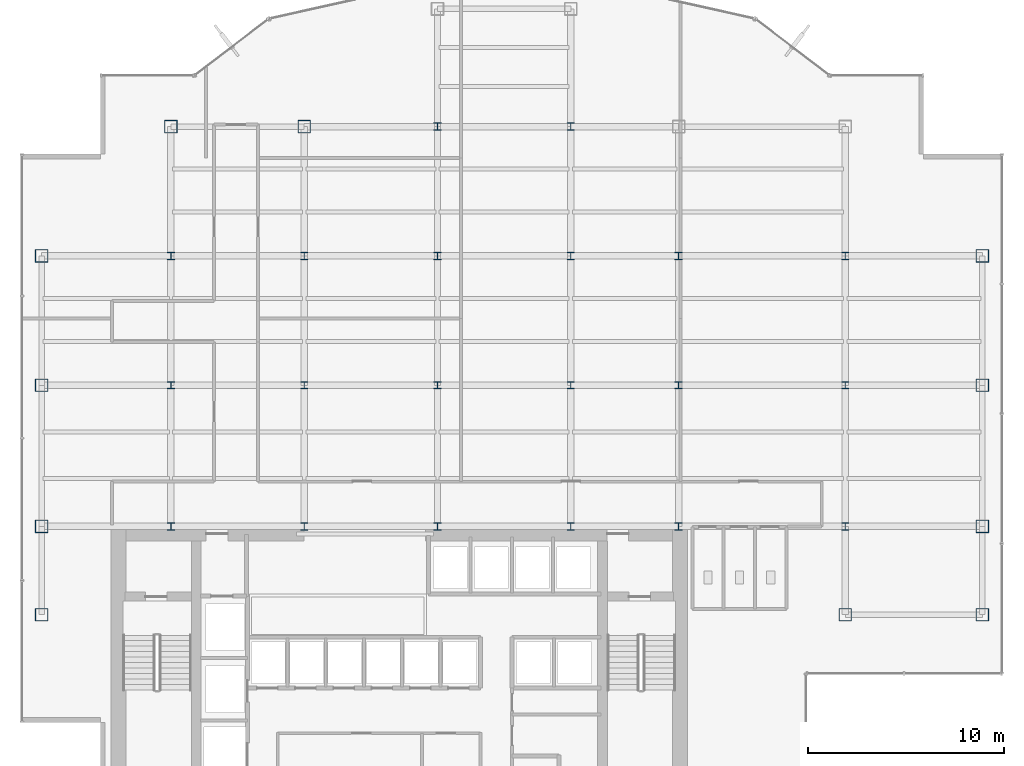
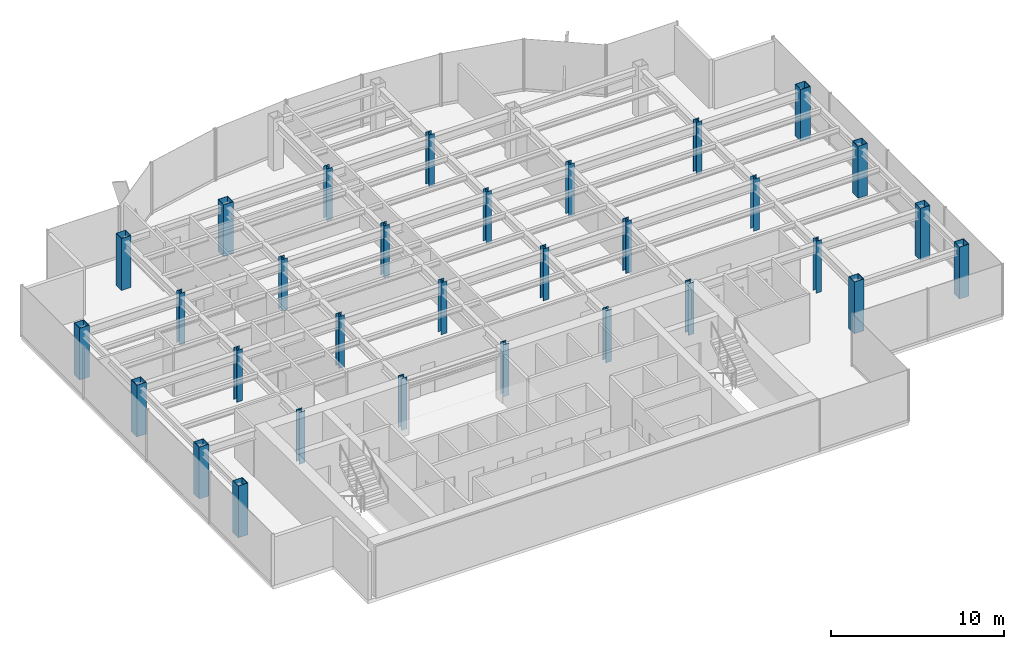
# One storey, part 1 of 25: 31 columns.
"""IFC4 building model written with IfcOpenShell, lengths in metres."""

from ifc_helpers import new_model, si_unit, derived_unit, direction, frame, origin, origin_2d, place, context, subcontext, project, spatial, hollow_rectangle, i_section, extrude, source, transform, mapped, material, material_profile, profile_set, type_object, element, save


model = new_model("IFC4")

# Units and contexts
model_context = context("Model", 3, precision=1e-05, world=origin(), true_north=direction((0.0, 1.0)))
body_context = subcontext(model_context, "Body", "Model", "MODEL_VIEW")
ifc_project = project(units=[si_unit("LENGTHUNIT", "METRE"), si_unit("AREAUNIT", "SQUARE_METRE"), si_unit("VOLUMEUNIT", "CUBIC_METRE"), si_unit("PLANEANGLEUNIT", "RADIAN"), si_unit("MASSUNIT", "GRAM", prefix="KILO"), derived_unit("THERMALTRANSMITTANCEUNIT", [(si_unit("POWERUNIT", "WATT"), 1), (si_unit("LENGTHUNIT", "METRE"), -2), (si_unit("THERMODYNAMICTEMPERATUREUNIT", "KELVIN"), -1)])], contexts=[model_context])

# Site, building, storey
site_placement = place(None, origin())
site = spatial("IfcSite", under=ifc_project, at=site_placement, CompositionType="ELEMENT")
building_placement = place(site_placement, origin())
building = spatial("IfcBuilding", under=site, at=building_placement, Name="Skarnbrae Concourse Arena and Tower", CompositionType="ELEMENT")
storey_placement = place(building_placement, frame((0.0, 0.0, 155.199951171875)))
storey = spatial("IfcBuildingStorey", under=building, at=storey_placement, Name="L39", CompositionType="ELEMENT", Elevation=155.199951171875)

# Columns
ifc_material = material(Name="Steel CSA G40.21 350W", Category="steel")
ifc_material_profile_1 = material_profile(ifc_material, hollow_rectangle(XDim=0.64990234375, YDim=0.64990234375, WallThickness=0.031982421875, at=origin_2d()), Name="BOX650X650X32")
ifc_profile_set_1 = profile_set([ifc_material_profile_1], Name="Steel CSA G40.21 350W")
column_type_1 = type_object("IfcColumnType", Name="COL-TUBE-BOX650", PredefinedType="COLUMN", material=ifc_profile_set_1)
shared_shape_1 = source(origin(), body_context, "Body", "SweptSolid", [
    extrude(hollow_rectangle(XDim=0.64990234375, YDim=0.64990234375, WallThickness=0.031982421875, at=origin_2d()), origin(), (0.0, 0.0, 1.0), 3.650146484375),
])
for number, where, z_axis, x_axis, name in (
    (1, (1.0, 9.5, 0.0), (0.0, 0.0, 1.0), (1.0, 0.0, 0.0), "L39 Tower column PC_01_01"),
    (2, (1.0, 14.0, 0.0), (0.0, 0.0, 1.0), (1.0, 0.0, 0.0), "L39 Tower column PC_01_02"),
    (3, (1.0, 21.199951171875, 0.0), (0.0, 0.0, 1.0), (1.0, 0.0, 0.0), "L39 Tower column PC_01_03"),
    (4, (1.0, 27.800048828125, 0.0), (0.0, 0.0, 1.0), (1.0, 0.0, 0.0), "L39 Tower column PC_01_04"),
    (5, (7.60009765625, 34.39990234375, 0.0), (0.0, 0.0, 1.0), (1.0, 0.0, 0.0), "L39 Tower column PC_02_05"),
    (6, (14.39990234375, 34.39990234375, 0.0), (0.0, 0.0, 1.0), (1.0, 0.0, 0.0), "L39 Tower column PC_03_05"),
    (7, (42.0, 9.5, 0.0), (0.0, 0.0, 1.0), (1.0, 0.0, 0.0), "L39 Tower column PC_07_01"),
    (8, (49.0, 9.5, 0.0), (0.0, 0.0, 1.0), (1.0, 0.0, 0.0), "L39 Tower column PC_08_01"),
    (9, (49.0, 14.0, 0.0), (0.0, 0.0, 1.0), (1.0, 0.0, 0.0), "L39 Tower column PC_08_02"),
    (10, (49.0, 21.199951171875, 0.0), (0.0, 0.0, 1.0), (1.0, 0.0, 0.0), "L39 Tower column PC_08_03"),
    (11, (49.0, 27.800048828125, 0.0), (0.0, 0.0, 1.0), (1.0, 0.0, 0.0), "L39 Tower column PC_08_04"),
):
    element("IfcColumn", number, at=place(storey_placement, frame(where, z_axis=z_axis, x_axis=x_axis)), inside=storey, type_object=column_type_1, Name=name, PredefinedType="COLUMN", context=body_context, shape_type="MappedRepresentation", body=[
        mapped(shared_shape_1, transform((0.0, 0.0, 0.0))),
    ])
ifc_material_profile_2 = material_profile(ifc_material, i_section(OverallWidth=0.3740234375, OverallDepth=0.3720703125, WebThickness=0.016357421875, FlangeThickness=0.026123046875, at=origin_2d()), Name="W360X196")
ifc_profile_set_2 = profile_set([ifc_material_profile_2], Name="Steel CSA G40.21 350W")
column_type_2 = type_object("IfcColumnType", Name="COL-INT-W360X196", PredefinedType="COLUMN", material=ifc_profile_set_2)
shared_shape_2 = source(origin(), body_context, "Body", "SweptSolid", [
    extrude(i_section(OverallWidth=0.3740234375, OverallDepth=0.3720703125, WebThickness=0.016357421875, FlangeThickness=0.026123046875, at=origin_2d()), origin(), (0.0, 0.0, 1.0), 3.650146484375),
])
for number, where, z_axis, x_axis, name in (
    (12, (7.60009765625, 14.0, 0.0), (0.0, 0.0, 1.0), (1.0, 0.0, 0.0), "L39 Tower column IC_02_02"),
    (13, (7.60009765625, 21.199951171875, 0.0), (0.0, 0.0, 1.0), (1.0, 0.0, 0.0), "L39 Tower column IC_02_03"),
    (14, (7.60009765625, 27.800048828125, 0.0), (0.0, 0.0, 1.0), (1.0, 0.0, 0.0), "L39 Tower column IC_02_04"),
    (15, (14.39990234375, 14.0, 0.0), (0.0, 0.0, 1.0), (1.0, 0.0, 0.0), "L39 Tower column IC_03_02"),
    (16, (14.39990234375, 21.199951171875, 0.0), (0.0, 0.0, 1.0), (1.0, 0.0, 0.0), "L39 Tower column IC_03_03"),
    (17, (14.39990234375, 27.800048828125, 0.0), (0.0, 0.0, 1.0), (1.0, 0.0, 0.0), "L39 Tower column IC_03_04"),
    (18, (21.199951171875, 14.0, 0.0), (0.0, 0.0, 1.0), (1.0, 0.0, 0.0), "L39 Tower column IC_04_02"),
    (19, (21.199951171875, 21.199951171875, 0.0), (0.0, 0.0, 1.0), (1.0, 0.0, 0.0), "L39 Tower column IC_04_03"),
    (20, (21.199951171875, 27.800048828125, 0.0), (0.0, 0.0, 1.0), (1.0, 0.0, 0.0), "L39 Tower column IC_04_04"),
    (21, (21.199951171875, 34.39990234375, 0.0), (0.0, 0.0, 1.0), (1.0, 0.0, 0.0), "L39 Tower column IC_04_05"),
    (22, (28.0, 14.0, 0.0), (0.0, 0.0, 1.0), (1.0, 0.0, 0.0), "L39 Tower column IC_05_02"),
    (23, (28.0, 21.199951171875, 0.0), (0.0, 0.0, 1.0), (1.0, 0.0, 0.0), "L39 Tower column IC_05_03"),
    (24, (28.0, 27.800048828125, 0.0), (0.0, 0.0, 1.0), (1.0, 0.0, 0.0), "L39 Tower column IC_05_04"),
    (25, (28.0, 34.39990234375, 0.0), (0.0, 0.0, 1.0), (1.0, 0.0, 0.0), "L39 Tower column IC_05_05"),
    (26, (33.5, 14.0, 0.0), (0.0, 0.0, 1.0), (1.0, 0.0, 0.0), "L39 Tower column IC_06_02"),
    (27, (33.5, 21.199951171875, 0.0), (0.0, 0.0, 1.0), (1.0, 0.0, 0.0), "L39 Tower column IC_06_03"),
    (28, (33.5, 27.800048828125, 0.0), (0.0, 0.0, 1.0), (1.0, 0.0, 0.0), "L39 Tower column IC_06_04"),
    (29, (42.0, 14.0, 0.0), (0.0, 0.0, 1.0), (1.0, 0.0, 0.0), "L39 Tower column IC_07_02"),
    (30, (42.0, 21.199951171875, 0.0), (0.0, 0.0, 1.0), (1.0, 0.0, 0.0), "L39 Tower column IC_07_03"),
    (31, (42.0, 27.800048828125, 0.0), (0.0, 0.0, 1.0), (1.0, 0.0, 0.0), "L39 Tower column IC_07_04"),
):
    element("IfcColumn", number, at=place(storey_placement, frame(where, z_axis=z_axis, x_axis=x_axis)), inside=storey, type_object=column_type_2, Name=name, PredefinedType="COLUMN", context=body_context, shape_type="MappedRepresentation", body=[
        mapped(shared_shape_2, transform((0.0, 0.0, 0.0))),
    ])

save(model, "model.ifc")
